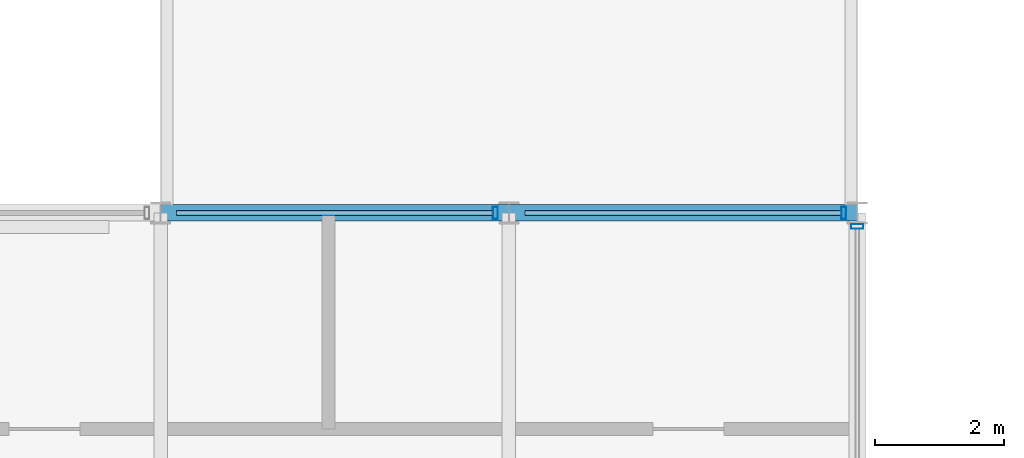
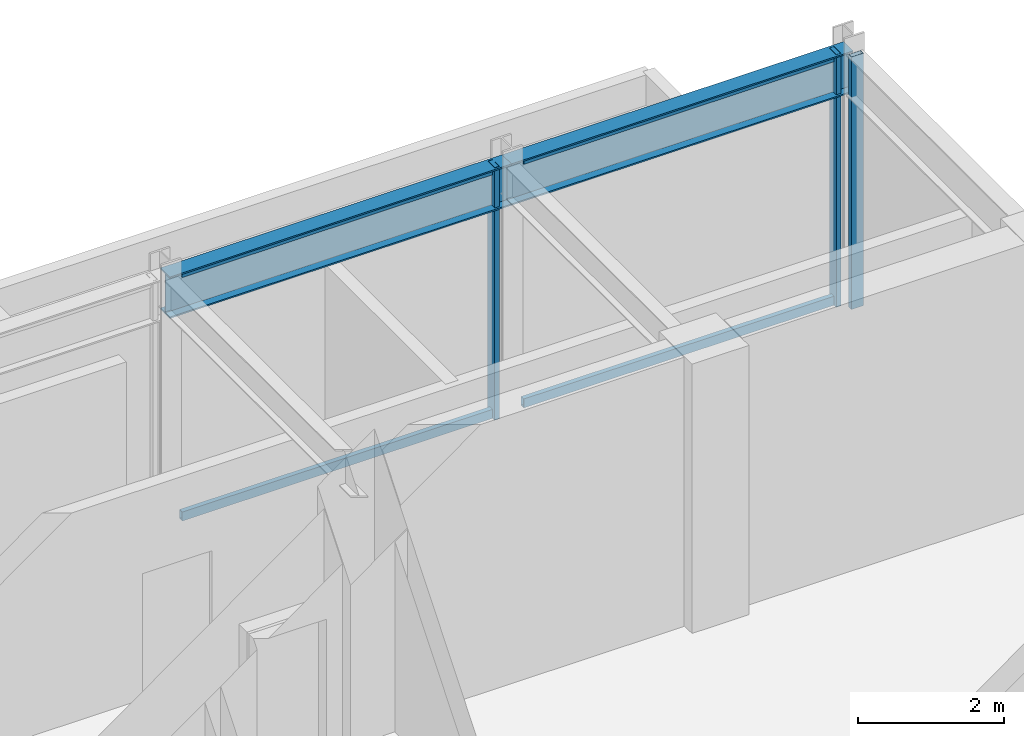
# One storey, part 12 of 18: 7 members, 2 beams, 2 elements without a shape of their own.
"""IFC4 building model written with IfcOpenShell, lengths in metres."""

from ifc_helpers import new_model, si_unit, direction, frame, origin, origin_2d, place, context, subcontext, project, spatial, hollow_rectangle, i_section, extrude, material, layer, layer_set, material_profile, profile_set, type_object, element, aggregate, save


model = new_model("IFC4")

# Units and contexts
model_context = context("Model", 3, precision=1e-05, world=origin(), true_north=direction((0.0, 1.0)))
body_context = subcontext(model_context, "Body", "Model", "MODEL_VIEW")
ifc_project = project(units=[si_unit("LENGTHUNIT", "METRE"), si_unit("AREAUNIT", "SQUARE_METRE"), si_unit("VOLUMEUNIT", "CUBIC_METRE"), si_unit("PLANEANGLEUNIT", "RADIAN"), si_unit("MASSUNIT", "GRAM", prefix="KILO")], contexts=[model_context])

# Site, building, storey
site_placement = place(None, origin())
site = spatial("IfcSite", under=ifc_project, at=site_placement, CompositionType="ELEMENT")
building_placement = place(site_placement, origin())
building = spatial("IfcBuilding", under=site, at=building_placement, Name="Surkhivell Harbour Commons", CompositionType="ELEMENT")
storey_placement = place(building_placement, frame((0.0, 0.0, 355.5)))
storey = spatial("IfcBuildingStorey", under=building, at=storey_placement, Name="L92", CompositionType="ELEMENT", Elevation=355.5)

# Beams
ifc_material_1 = material(Name="Steel S355", Category="steel")
ifc_material_profile_1 = material_profile(ifc_material_1, i_section(OverallWidth=0.256103515625, OverallDepth=0.693115234375, WebThickness=0.014404296875, FlangeThickness=0.023681640625, at=origin_2d()), Name="UB686x254x170")
ifc_profile_set_1 = profile_set([ifc_material_profile_1], Name="Steel S355")
beam_type = type_object("IfcBeamType", Name="BM-SPN-686", PredefinedType="SPANDREL", material=ifc_profile_set_1)
beam_1_placement = place(storey_placement, frame((0.0, 16.199951171875, 3.87353515625), z_axis=(1.0, 0.0, 0.0), x_axis=(0.0, 1.0, 0.0)))
element("IfcBeam", 1, at=beam_1_placement, inside=storey, type_object=beam_type, Name="L92 Tube Spandrel (0.0,16.2)", PredefinedType="SPANDREL", context=body_context, shape_type="SweptSolid", body=[
    extrude(i_section(OverallWidth=0.256103515625, OverallDepth=0.693115234375, WebThickness=0.014404296875, FlangeThickness=0.023681640625, at=origin_2d()), origin(), (0.0, 0.0, 1.0), 5.39990234375),
])
beam_2_placement = place(storey_placement, frame((5.39990234375, 16.199951171875, 3.87353515625), z_axis=(1.0, 0.0, 0.0), x_axis=(0.0, 1.0, 0.0)))
element("IfcBeam", 2, at=beam_2_placement, inside=storey, type_object=beam_type, Name="L92 Tube Spandrel (5.4,16.2)", PredefinedType="SPANDREL", context=body_context, shape_type="SweptSolid", body=[
    extrude(i_section(OverallWidth=0.256103515625, OverallDepth=0.693115234375, WebThickness=0.014404296875, FlangeThickness=0.023681640625, at=origin_2d()), origin(), (0.0, 0.0, 1.0), 5.400146484375),
])

# Curtain wall, member
ifc_material_2 = material(Name="Anodised pale-metal aluminium and insulated glazing", Category="aluminium")
ifc_layer = layer(ifc_material_2, 0.22998046875)
ifc_layer_set = layer_set([ifc_layer], Name="Anodised pale-metal aluminium and insulated glazing")
curtain_wall_type = type_object("IfcCurtainWallType", Name="CW-SYS-CRN", PredefinedType="NOTDEFINED", material=ifc_layer_set)
curtain_wall_1_placement = place(storey_placement, origin())
curtain_wall_1 = element("IfcCurtainWall", 3, at=curtain_wall_1_placement, inside=storey, type_object=curtain_wall_type, Name="L92 Curtain Wall CW-L92-C01S2", PredefinedType="NOTDEFINED")
ifc_material_3 = material(Name="Anodised pale-metal aluminium alloy 6063-T6", Category="aluminium")
ifc_material_profile_2 = material_profile(ifc_material_3, hollow_rectangle(XDim=0.074951171875, YDim=0.18994140625, WallThickness=0.00390625, at=origin_2d()), Name="ALU-MULL-75x190")
ifc_profile_set_2 = profile_set([ifc_material_profile_2], Name="Anodised pale-metal aluminium alloy 6063-T6")
member_type_1 = type_object("IfcMemberType", Name="CWM-190", PredefinedType="MULLION", material=ifc_profile_set_2)
member_1_placement = place(storey_placement, frame((10.800048828125, 15.990478515625, 0.0), z_axis=(0.0, 0.0, 1.0), x_axis=(0.0, 1.0, 0.0)))
member_1 = element("IfcMember", 4, at=member_1_placement, type_object=member_type_1, Name="CW-CRN mullion 2", PredefinedType="MULLION", context=body_context, shape_type="SweptSolid", body=[
    extrude(hollow_rectangle(XDim=0.074951171875, YDim=0.18994140625, WallThickness=0.00390625, at=origin_2d()), origin(), (0.0, 0.0, 1.0), 4.219970703125),
])
aggregate(curtain_wall_1, [member_1])

# Curtain wall, members
curtain_wall_2_placement = place(storey_placement, origin())
curtain_wall_2 = element("IfcCurtainWall", 5, at=curtain_wall_2_placement, inside=storey, type_object=curtain_wall_type, Name="L92 Curtain Wall CW-L92-C02", PredefinedType="NOTDEFINED")
member_2_placement = place(storey_placement, frame((10.590576171875, 16.199951171875, 0.0), z_axis=(0.0, 0.0, 1.0), x_axis=(-1.0, 0.0, 0.0)))
member_2 = element("IfcMember", 6, at=member_2_placement, type_object=member_type_1, Name="CW-CRN mullion 1", PredefinedType="MULLION", context=body_context, shape_type="SweptSolid", body=[
    extrude(hollow_rectangle(XDim=0.074951171875, YDim=0.18994140625, WallThickness=0.00390625, at=origin_2d()), origin(), (0.0, 0.0, 1.0), 4.219970703125),
])
member_3_placement = place(storey_placement, frame((5.1904296875, 16.199951171875, 0.0), z_axis=(0.0, 0.0, 1.0), x_axis=(-1.0, 0.0, 0.0)))
member_3 = element("IfcMember", 7, at=member_3_placement, type_object=member_type_1, Name="CW-CRN mullion 2", PredefinedType="MULLION", context=body_context, shape_type="SweptSolid", body=[
    extrude(hollow_rectangle(XDim=0.074951171875, YDim=0.18994140625, WallThickness=0.00390625, at=origin_2d()), origin(), (0.0, 0.0, 1.0), 4.219970703125),
])
ifc_material_profile_3 = material_profile(ifc_material_3, hollow_rectangle(XDim=0.074951171875, YDim=0.14990234375, WallThickness=0.00341796875, at=origin_2d()), Name="ALU-TRAN-75x150")
ifc_profile_set_3 = profile_set([ifc_material_profile_3], Name="Anodised pale-metal aluminium alloy 6063-T6")
member_type_2 = type_object("IfcMemberType", Name="CWT-150", PredefinedType="USERDEFINED", material=ifc_profile_set_3)
member_4_placement = place(storey_placement, frame((10.552978515625, 16.199951171875, 0.074951171875), z_axis=(-1.0, 0.0, 0.0), x_axis=(0.0, -1.0, 0.0)))
member_4 = element("IfcMember", 8, at=member_4_placement, type_object=member_type_2, Name="CW-CRN transom 1.1", ObjectType="TRANSOM", PredefinedType="USERDEFINED", context=body_context, shape_type="SweptSolid", body=[
    extrude(hollow_rectangle(XDim=0.074951171875, YDim=0.14990234375, WallThickness=0.00341796875, at=origin_2d()), origin(), (0.0, 0.0, 1.0), 4.906005859375),
])
member_5_placement = place(storey_placement, frame((10.552978515625, 16.199951171875, 4.14501953125), z_axis=(-1.0, 0.0, 0.0), x_axis=(0.0, -1.0, 0.0)))
member_5 = element("IfcMember", 9, at=member_5_placement, type_object=member_type_2, Name="CW-CRN transom 1.2", ObjectType="TRANSOM", PredefinedType="USERDEFINED", context=body_context, shape_type="SweptSolid", body=[
    extrude(hollow_rectangle(XDim=0.074951171875, YDim=0.14990234375, WallThickness=0.00341796875, at=origin_2d()), origin(), (0.0, 0.0, 1.0), 4.906005859375),
])
member_6_placement = place(storey_placement, frame((5.153076171875, 16.199951171875, 0.074951171875), z_axis=(-1.0, 0.0, 0.0), x_axis=(0.0, -1.0, 0.0)))
member_6 = element("IfcMember", 10, at=member_6_placement, type_object=member_type_2, Name="CW-CRN transom 2.1", ObjectType="TRANSOM", PredefinedType="USERDEFINED", context=body_context, shape_type="SweptSolid", body=[
    extrude(hollow_rectangle(XDim=0.074951171875, YDim=0.14990234375, WallThickness=0.00341796875, at=origin_2d()), origin(), (0.0, 0.0, 1.0), 4.906005859375),
])
member_7_placement = place(storey_placement, frame((5.153076171875, 16.199951171875, 4.14501953125), z_axis=(-1.0, 0.0, 0.0), x_axis=(0.0, -1.0, 0.0)))
member_7 = element("IfcMember", 11, at=member_7_placement, type_object=member_type_2, Name="CW-CRN transom 2.2", ObjectType="TRANSOM", PredefinedType="USERDEFINED", context=body_context, shape_type="SweptSolid", body=[
    extrude(hollow_rectangle(XDim=0.074951171875, YDim=0.14990234375, WallThickness=0.00341796875, at=origin_2d()), origin(), (0.0, 0.0, 1.0), 4.906005859375),
])
aggregate(curtain_wall_2, [member_2, member_4, member_5, member_3, member_6, member_7])

save(model, "model.ifc")
